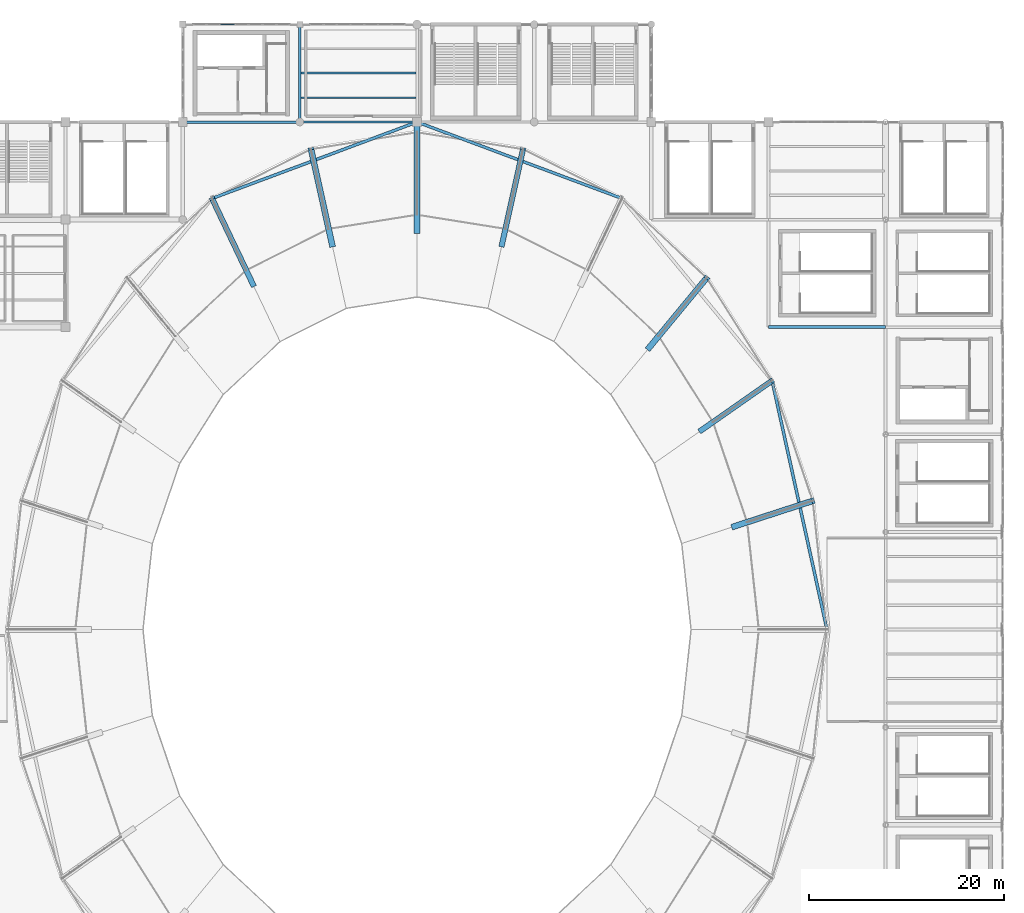
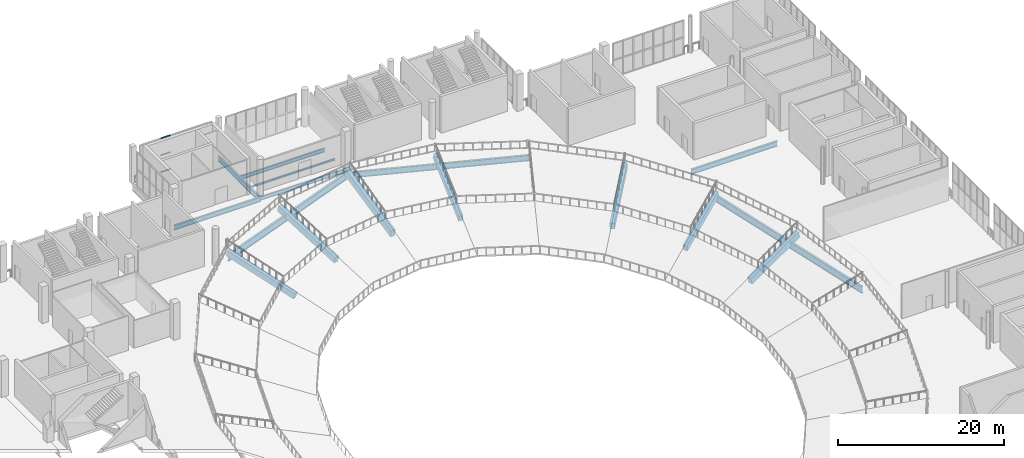
# One storey, part 19 of 74: 16 beams, 3 members, 1 element without a shape of its own.
"""IFC4 building model written with IfcOpenShell, lengths in metres."""

from ifc_helpers import new_model, si_unit, direction, frame, origin, origin_2d, place, context, subcontext, project, spatial, rectangle, hollow_rectangle, i_section, extrude, material, layer, layer_set, material_profile, profile_set, type_object, element, aggregate, save


model = new_model("IFC4")

# Units and contexts
model_context = context("Model", 3, precision=1e-05, world=origin(), true_north=direction((0.0, 1.0)))
body_context = subcontext(model_context, "Body", "Model", "MODEL_VIEW")
ifc_project = project(units=[si_unit("LENGTHUNIT", "METRE"), si_unit("AREAUNIT", "SQUARE_METRE"), si_unit("VOLUMEUNIT", "CUBIC_METRE"), si_unit("PLANEANGLEUNIT", "RADIAN"), si_unit("MASSUNIT", "GRAM", prefix="KILO")], contexts=[model_context])

# Site, building, storey
site_placement = place(None, origin())
site = spatial("IfcSite", under=ifc_project, at=site_placement, CompositionType="ELEMENT")
building_placement = place(site_placement, origin())
building = spatial("IfcBuilding", under=site, at=building_placement, Name="Brinegate Civic Arena", CompositionType="ELEMENT")
storey_placement = place(building_placement, frame((0.0, 0.0, 19.199951171875)))
storey = spatial("IfcBuildingStorey", under=building, at=storey_placement, Name="L04", CompositionType="ELEMENT", Elevation=19.199951171875)

# Curtain wall, members
ifc_material_1 = material(Name="Marine grade aluminium", Category="aluminium")
ifc_layer = layer(ifc_material_1, 0.235107421875, Name="Marine grade aluminium")
ifc_layer_set = layer_set([ifc_layer], Name="Marine grade aluminium")
curtain_wall_type = type_object("IfcCurtainWallType", Name="CW-PORTAL-NORTH-01", PredefinedType="USERDEFINED", material=ifc_layer_set)
curtain_wall_placement = place(storey_placement, origin())
curtain_wall = element("IfcCurtainWall", 1, at=curtain_wall_placement, inside=storey, type_object=curtain_wall_type, Name="Curtain Wall CWA-144", ObjectType="PORTAL CURTAIN WALL", PredefinedType="USERDEFINED")
ifc_material_profile_1 = material_profile(ifc_material_1, hollow_rectangle(XDim=0.074951171875, YDim=0.18994140625, WallThickness=0.006103515625, InnerFilletRadius=0.00390625, OuterFilletRadius=0.008056640625, at=origin_2d()), Name="TRN75X190")
ifc_profile_set_1 = profile_set([ifc_material_profile_1], Name="Marine grade aluminium")
member_type = type_object("IfcMemberType", Name="CW-TRANSOM-75X190", PredefinedType="USERDEFINED", material=ifc_profile_set_1)
member_1_placement = place(storey_placement, frame((87.9091796875, 124.0, 0.03759765625), z_axis=(1.0, 0.0, 0.0), x_axis=(0.0, 1.0, 0.0)))
member_1 = element("IfcMember", 2, at=member_1_placement, type_object=member_type, Name="CWA-144 transom 3.1", ObjectType="TRANSOM", PredefinedType="USERDEFINED", context=body_context, shape_type="SweptSolid", body=[
    extrude(hollow_rectangle(XDim=0.074951171875, YDim=0.18994140625, WallThickness=0.006103515625, InnerFilletRadius=0.00390625, OuterFilletRadius=0.008056640625, at=origin_2d()), origin(), (0.0, 0.0, 1.0), 1.35595703125),
])
member_2_placement = place(storey_placement, frame((87.9091796875, 124.0, 2.53515625), z_axis=(1.0, 0.0, 0.0), x_axis=(0.0, 1.0, 0.0)))
member_2 = element("IfcMember", 3, at=member_2_placement, type_object=member_type, Name="CWA-144 transom 3.2", ObjectType="TRANSOM", PredefinedType="USERDEFINED", context=body_context, shape_type="SweptSolid", body=[
    extrude(hollow_rectangle(XDim=0.074951171875, YDim=0.18994140625, WallThickness=0.006103515625, InnerFilletRadius=0.00390625, OuterFilletRadius=0.008056640625, at=origin_2d()), origin(), (0.0, 0.0, 1.0), 1.35595703125),
])
member_3_placement = place(storey_placement, frame((87.9091796875, 124.0, 5.032470703125), z_axis=(1.0, 0.0, 0.0), x_axis=(0.0, 1.0, 0.0)))
member_3 = element("IfcMember", 4, at=member_3_placement, type_object=member_type, Name="CWA-144 transom 3.3", ObjectType="TRANSOM", PredefinedType="USERDEFINED", context=body_context, shape_type="SweptSolid", body=[
    extrude(hollow_rectangle(XDim=0.074951171875, YDim=0.18994140625, WallThickness=0.006103515625, InnerFilletRadius=0.00390625, OuterFilletRadius=0.008056640625, at=origin_2d()), origin(), (0.0, 0.0, 1.0), 1.35595703125),
])
aggregate(curtain_wall, [member_1, member_2, member_3])

# Beams
ifc_material_2 = material(Name="Steel S355", Category="steel")
ifc_material_profile_2 = material_profile(ifc_material_2, i_section(OverallWidth=0.26806640625, OverallDepth=0.77001953125, WebThickness=0.01611328125, FlangeThickness=0.02490234375, FilletRadius=0.02001953125, at=origin_2d()), Name="W760X196")
ifc_profile_set_2 = profile_set([ifc_material_profile_2], Name="Steel S355")
beam_type_1 = type_object("IfcBeamType", Name="GIRDER-W760X196", PredefinedType="BEAM", material=ifc_profile_set_2)
beam_1_placement = place(storey_placement, frame((144.0, 93.0, -0.724853515625), z_axis=(1.0, 0.0, 0.0), x_axis=(0.0, 1.0, 0.0)))
element("IfcBeam", 5, at=beam_1_placement, inside=storey, type_object=beam_type_1, Name="Floor Girder BM-L04-GX-12-09", PredefinedType="BEAM", context=body_context, shape_type="SweptSolid", body=[
    extrude(i_section(OverallWidth=0.26806640625, OverallDepth=0.77001953125, WebThickness=0.01611328125, FlangeThickness=0.02490234375, FilletRadius=0.02001953125, at=origin_2d()), origin(), (0.0, 0.0, 1.0), 12.0),
])
beam_2_placement = place(storey_placement, frame((96.0, 114.0, -0.724853515625), z_axis=(0.0, 1.0, 0.0), x_axis=(-1.0, 0.0, 0.0)))
element("IfcBeam", 6, at=beam_2_placement, inside=storey, type_object=beam_type_1, Name="Floor Girder BM-L04-GY-08-11", PredefinedType="BEAM", context=body_context, shape_type="SweptSolid", body=[
    extrude(i_section(OverallWidth=0.26806640625, OverallDepth=0.77001953125, WebThickness=0.01611328125, FlangeThickness=0.02490234375, FilletRadius=0.02001953125, at=origin_2d()), origin(), (0.0, 0.0, 1.0), 10.0),
])
ifc_material_profile_3 = material_profile(ifc_material_2, i_section(OverallWidth=0.14794921875, OverallDepth=0.26611328125, WebThickness=0.008056640625, FlangeThickness=0.012939453125, FilletRadius=0.011962890625, at=origin_2d()), Name="W250X45")
ifc_profile_set_3 = profile_set([ifc_material_profile_3], Name="Steel S355")
beam_type_2 = type_object("IfcBeamType", Name="JOIST-W250X45", PredefinedType="JOIST", material=ifc_profile_set_3)
beam_3_placement = place(storey_placement, frame((96.10595703125, 116.5, -0.472900390625), z_axis=(1.0, 0.0, 0.0), x_axis=(0.0, 1.0, 0.0)))
element("IfcBeam", 7, at=beam_3_placement, inside=storey, type_object=beam_type_2, Name="Secondary Joist BM-L04-JX-08-11-1", PredefinedType="JOIST", context=body_context, shape_type="SweptSolid", body=[
    extrude(i_section(OverallWidth=0.14794921875, OverallDepth=0.26611328125, WebThickness=0.008056640625, FlangeThickness=0.012939453125, FilletRadius=0.011962890625, at=origin_2d()), origin(), (0.0, 0.0, 1.0), 11.7880859375),
])
ifc_material_profile_4 = material_profile(ifc_material_2, i_section(OverallWidth=0.2119140625, OverallDepth=0.5439453125, WebThickness=0.012939453125, FlangeThickness=0.02099609375, FilletRadius=0.01611328125, at=origin_2d()), Name="W530X123")
ifc_profile_set_4 = profile_set([ifc_material_profile_4], Name="Steel S355")
beam_type_3 = type_object("IfcBeamType", Name="JOIST-W530X123", PredefinedType="JOIST", material=ifc_profile_set_4)
beam_4_placement = place(storey_placement, frame((96.10595703125, 119.0, -0.612060546875), z_axis=(1.0, 0.0, 0.0), x_axis=(0.0, 1.0, 0.0)))
element("IfcBeam", 8, at=beam_4_placement, inside=storey, type_object=beam_type_3, Name="Secondary Joist BM-L04-JX-08-11-2", PredefinedType="JOIST", context=body_context, shape_type="SweptSolid", body=[
    extrude(i_section(OverallWidth=0.2119140625, OverallDepth=0.5439453125, WebThickness=0.012939453125, FlangeThickness=0.02099609375, FilletRadius=0.01611328125, at=origin_2d()), origin(), (0.0, 0.0, 1.0), 11.7880859375),
])
ifc_material_3 = material(Name="Concrete C50/60", Category="concrete")
ifc_material_profile_5 = material_profile(ifc_material_3, rectangle(XDim=0.550048828125, YDim=0.89990234375, at=origin_2d()), Name="RKR550X900")
ifc_profile_set_5 = profile_set([ifc_material_profile_5], Name="Concrete C50/60")
beam_type_4 = type_object("IfcBeamType", Name="RAKER-RKR550X900", PredefinedType="USERDEFINED", material=ifc_profile_set_5)
beam_5_placement = place(storey_placement, frame((137.011962890625, 82.35009765625, -3.099853515625), z_axis=(0.790512791531, 0.553052198088, 0.263102247455), x_axis=(-0.573248930073, 0.819381269111, 0.0)))
element("IfcBeam", 9, at=beam_5_placement, inside=storey, type_object=beam_type_4, Name="Upper Bowl Raker Girder RKR-UPR-03", ObjectType="RAKER GIRDER", PredefinedType="USERDEFINED", context=body_context, shape_type="SweptSolid", body=[
    extrude(rectangle(XDim=0.550048828125, YDim=0.89990234375, at=origin_2d()), origin(), (0.0, 0.0, 1.0), 9.311767578125),
])
beam_6_placement = place(storey_placement, frame((116.669921875, 101.31298828125, -3.099853515625), z_axis=(0.209947255691, 0.949352043572, 0.233779484117), x_axis=(-0.976408675069, 0.215930774207, 0.0)))
element("IfcBeam", 10, at=beam_6_placement, inside=storey, type_object=beam_type_4, Name="Upper Bowl Raker Girder RKR-UPR-06", ObjectType="RAKER GIRDER", PredefinedType="USERDEFINED", context=body_context, shape_type="SweptSolid", body=[
    extrude(rectangle(XDim=0.550048828125, YDim=0.89990234375, at=origin_2d()), origin(), (0.0, 0.0, 1.0), 10.479736328125),
])
beam_7_placement = place(storey_placement, frame((91.25, 97.2470703125, -3.099853515625), z_axis=(-0.417490568873, 0.876231354799, 0.240666237284), x_axis=(-0.902765497567, -0.430133068252, 0.0)))
element("IfcBeam", 11, at=beam_7_placement, inside=storey, type_object=beam_type_4, Name="Upper Bowl Raker Girder RKR-UPR-09", ObjectType="RAKER GIRDER", PredefinedType="USERDEFINED", context=body_context, shape_type="SweptSolid", body=[
    extrude(rectangle(XDim=0.550048828125, YDim=0.89990234375, at=origin_2d()), origin(), (0.0, 0.0, 1.0), 10.179931640625),
])
ifc_material_profile_6 = material_profile(ifc_material_3, rectangle(XDim=0.60009765625, YDim=1.050048828125, at=origin_2d()), Name="RKR600X1050")
ifc_profile_set_6 = profile_set([ifc_material_profile_6], Name="Concrete C50/60")
beam_type_5 = type_object("IfcBeamType", Name="RAKER-RKR600X1050", PredefinedType="USERDEFINED", material=ifc_profile_set_6)
beam_8_placement = place(storey_placement, frame((131.68798828125, 90.779052734375, -3.099853515625), z_axis=(0.616082542509, 0.746571813202, 0.251143043997), x_axis=(-0.77129172537, 0.636481794222, 0.0)))
element("IfcBeam", 12, at=beam_8_placement, inside=storey, type_object=beam_type_5, Name="Upper Bowl Raker Girder RKR-UPR-04", ObjectType="RAKER GIRDER", PredefinedType="USERDEFINED", context=body_context, shape_type="SweptSolid", body=[
    extrude(rectangle(XDim=0.60009765625, YDim=1.050048828125, at=origin_2d()), origin(), (0.0, 0.0, 1.0), 9.755126953125),
])
beam_9_placement = place(storey_placement, frame((108.0, 102.699951171875, -3.099853515625), z_axis=(0.0, 0.977294363686, 0.211886117308), x_axis=(-1.0, 0.0, 0.0)))
element("IfcBeam", 13, at=beam_9_placement, inside=storey, type_object=beam_type_5, Name="Upper Bowl Raker Girder RKR-UPR-07", ObjectType="RAKER GIRDER", PredefinedType="USERDEFINED", context=body_context, shape_type="SweptSolid", body=[
    extrude(rectangle(XDim=0.60009765625, YDim=1.050048828125, at=origin_2d()), origin(), (0.0, 0.0, 1.0), 11.5625),
])
ifc_material_profile_7 = material_profile(ifc_material_3, rectangle(XDim=0.60009765625, YDim=0.949951171875, at=origin_2d()), Name="RKR600X950")
ifc_profile_set_7 = profile_set([ifc_material_profile_7], Name="Concrete C50/60")
beam_type_6 = type_object("IfcBeamType", Name="RAKER-RKR600X950", PredefinedType="USERDEFINED", material=ifc_profile_set_7)
beam_10_placement = place(storey_placement, frame((140.35888671875, 72.533935546875, -3.099853515625), z_axis=(0.914974986792, 0.297110436105, 0.273031430981), x_axis=(-0.308844965633, 0.951112394622, 0.0)))
element("IfcBeam", 14, at=beam_10_placement, inside=storey, type_object=beam_type_6, Name="Upper Bowl Raker Girder RKR-UPR-02", ObjectType="RAKER GIRDER", PredefinedType="USERDEFINED", context=body_context, shape_type="SweptSolid", body=[
    extrude(rectangle(XDim=0.60009765625, YDim=0.949951171875, at=origin_2d()), origin(), (0.0, 0.0, 1.0), 8.97314453125),
])
beam_11_placement = place(storey_placement, frame((99.330078125, 101.31298828125, -3.099853515625), z_axis=(-0.209947255691, 0.949352043572, 0.233779484117), x_axis=(-0.976408675069, -0.215930774207, 0.0)))
element("IfcBeam", 15, at=beam_11_placement, inside=storey, type_object=beam_type_6, Name="Upper Bowl Raker Girder RKR-UPR-08", ObjectType="RAKER GIRDER", PredefinedType="USERDEFINED", context=body_context, shape_type="SweptSolid", body=[
    extrude(rectangle(XDim=0.60009765625, YDim=0.949951171875, at=origin_2d()), origin(), (0.0, 0.0, 1.0), 10.479736328125),
])
ifc_material_profile_8 = material_profile(ifc_material_2, i_section(OverallWidth=0.300048828125, OverallDepth=1.0, WebThickness=0.01904296875, FlangeThickness=0.031982421875, FilletRadius=0.02392578125, at=origin_2d()), Name="W1000X321")
ifc_profile_set_8 = profile_set([ifc_material_profile_8], Name="Steel S355")
beam_type_7 = type_object("IfcBeamType", Name="RING-W1000X321", PredefinedType="BEAM", material=ifc_profile_set_8)
beam_12_placement = place(storey_placement, frame((150.0, 62.0, -1.449951171875), z_axis=(-0.215480978619, 0.976508037782, 0.0), x_axis=(-0.976508037782, -0.215480978619, 0.0)))
element("IfcBeam", 16, at=beam_12_placement, inside=storey, type_object=beam_type_7, Name="Bowl Ring Girder RG-BOWL-01", PredefinedType="BEAM", context=body_context, shape_type="SweptSolid", body=[
    extrude(i_section(OverallWidth=0.300048828125, OverallDepth=1.0, WebThickness=0.01904296875, FlangeThickness=0.031982421875, FilletRadius=0.02392578125, at=origin_2d()), origin(), (0.0, 0.0, 1.0), 26.113525390625),
])
beam_13_placement = place(storey_placement, frame((108.0, 114.0, -1.449951171875), z_axis=(-0.936943694813, -0.34948034673, 0.0), x_axis=(0.34948034673, -0.936943694813, 0.0)))
element("IfcBeam", 17, at=beam_13_placement, inside=storey, type_object=beam_type_7, Name="Bowl Ring Girder RG-BOWL-04", PredefinedType="BEAM", context=body_context, shape_type="SweptSolid", body=[
    extrude(i_section(OverallWidth=0.300048828125, OverallDepth=1.0, WebThickness=0.01904296875, FlangeThickness=0.031982421875, FilletRadius=0.02392578125, at=origin_2d()), origin(), (0.0, 0.0, 1.0), 22.413330078125),
])
ifc_material_profile_9 = material_profile(ifc_material_2, i_section(OverallWidth=0.2939453125, OverallDepth=0.85107421875, WebThickness=0.01611328125, FlangeThickness=0.027099609375, FilletRadius=0.02197265625, at=origin_2d()), Name="W840X226")
ifc_profile_set_9 = profile_set([ifc_material_profile_9], Name="Steel S355")
beam_type_8 = type_object("IfcBeamType", Name="RING-W840X226", PredefinedType="BEAM", material=ifc_profile_set_9)
beam_14_placement = place(storey_placement, frame((129.0, 106.1669921875, -1.375), z_axis=(-0.936943694813, 0.34948034673, 0.0), x_axis=(-0.34948034673, -0.936943694813, 0.0)))
element("IfcBeam", 18, at=beam_14_placement, inside=storey, type_object=beam_type_8, Name="Bowl Ring Girder RG-BOWL-03", PredefinedType="BEAM", context=body_context, shape_type="SweptSolid", body=[
    extrude(i_section(OverallWidth=0.2939453125, OverallDepth=0.85107421875, WebThickness=0.01611328125, FlangeThickness=0.027099609375, FilletRadius=0.02197265625, at=origin_2d()), origin(), (0.0, 0.0, 1.0), 22.413330078125),
])
ifc_material_profile_10 = material_profile(ifc_material_2, i_section(OverallWidth=0.2119140625, OverallDepth=0.5439453125, WebThickness=0.012939453125, FlangeThickness=0.02099609375, FilletRadius=0.01611328125, at=origin_2d()), Name="W530X123")
ifc_profile_set_10 = profile_set([ifc_material_profile_10], Name="Steel S355")
beam_type_9 = type_object("IfcBeamType", Name="SPANDREL-W530X123", PredefinedType="SPANDREL", material=ifc_profile_set_10)
beam_15_placement = place(storey_placement, frame((96.0, 114.0, -0.612060546875), z_axis=(1.0, 0.0, 0.0), x_axis=(0.0, 1.0, 0.0)))
element("IfcBeam", 19, at=beam_15_placement, inside=storey, type_object=beam_type_9, Name="Floor Girder BM-L04-GX-08-11", PredefinedType="SPANDREL", context=body_context, shape_type="SweptSolid", body=[
    extrude(i_section(OverallWidth=0.2119140625, OverallDepth=0.5439453125, WebThickness=0.012939453125, FlangeThickness=0.02099609375, FilletRadius=0.01611328125, at=origin_2d()), origin(), (0.0, 0.0, 1.0), 12.0),
])
ifc_material_profile_11 = material_profile(ifc_material_2, i_section(OverallWidth=0.256103515625, OverallDepth=0.693115234375, WebThickness=0.014892578125, FlangeThickness=0.02392578125, FilletRadius=0.01806640625, at=origin_2d()), Name="W690X170")
ifc_profile_set_11 = profile_set([ifc_material_profile_11], Name="Steel S355")
beam_type_10 = type_object("IfcBeamType", Name="SPANDREL-W690X170", PredefinedType="SPANDREL", material=ifc_profile_set_11)
beam_16_placement = place(storey_placement, frame((84.0, 114.0, -0.68603515625), z_axis=(1.0, 0.0, 0.0), x_axis=(0.0, 1.0, 0.0)))
element("IfcBeam", 20, at=beam_16_placement, inside=storey, type_object=beam_type_10, Name="Floor Girder BM-L04-GX-07-11", PredefinedType="SPANDREL", context=body_context, shape_type="SweptSolid", body=[
    extrude(i_section(OverallWidth=0.256103515625, OverallDepth=0.693115234375, WebThickness=0.014892578125, FlangeThickness=0.02392578125, FilletRadius=0.01806640625, at=origin_2d()), origin(), (0.0, 0.0, 1.0), 12.0),
])

save(model, "model.ifc")
